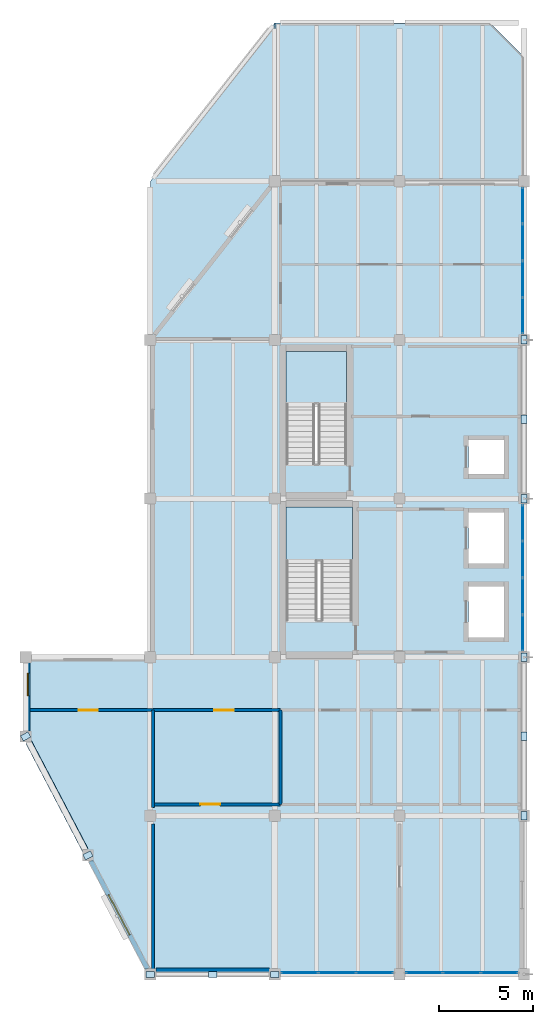
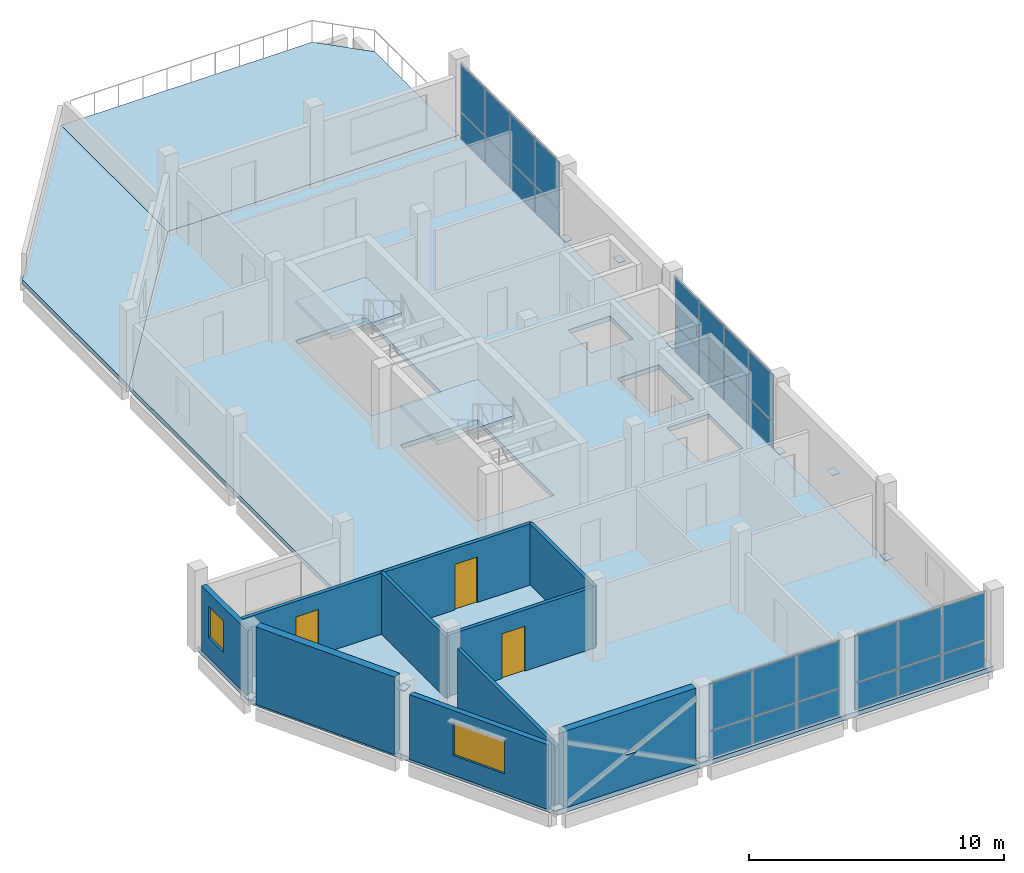
# One storey, part 5 of 10: 39 plates, 9 walls, 5 slabs, 3 doors, 2 windows, 5 openings, 6 elements without a shape of their own.
"""IFC4 building model written with IfcOpenShell, lengths in metres."""

from ifc_helpers import new_model, si_unit, direction, frame, frame_2d, origin, origin_2d, place, context, subcontext, project, spatial, polyline, rectangle, outline, extrude, material, layer, layer_set, type_object, element, fill, aggregate, save


model = new_model("IFC4")

# Units and contexts
model_context = context("Model", 3, precision=1e-05, world=origin(), true_north=direction((0.0, 1.0)))
body_context = subcontext(model_context, "Body", "Model", "MODEL_VIEW")
ifc_project = project(units=[si_unit("LENGTHUNIT", "METRE"), si_unit("AREAUNIT", "SQUARE_METRE"), si_unit("VOLUMEUNIT", "CUBIC_METRE"), si_unit("PLANEANGLEUNIT", "RADIAN"), si_unit("MASSUNIT", "GRAM", prefix="KILO")], contexts=[model_context])

# Site, building, storey
site_placement = place(None, origin())
site = spatial("IfcSite", under=ifc_project, at=site_placement, CompositionType="ELEMENT")
building_placement = place(site_placement, origin())
building = spatial("IfcBuilding", under=site, at=building_placement, Name="Qaldarim Faculty of Natural and Applied Sciences", CompositionType="ELEMENT")
storey_placement = place(building_placement, frame((0.0, 0.0, 39.300048828125)))
storey = spatial("IfcBuildingStorey", under=building, at=storey_placement, Name="L09", CompositionType="ELEMENT", Elevation=39.300048828125)

# Slab
ifc_material_1 = material(Name="Concrete C40/50", Category="concrete")
ifc_layer_1 = layer(ifc_material_1, 0.239990234375)
ifc_layer_set_1 = layer_set([ifc_layer_1], Name="Concrete C40/50")
slab_type_1 = type_object("IfcSlabType", Name="FlatStructuralRoofSlab-240", PredefinedType="ROOF", material=ifc_layer_set_1)
slab_1_placement = place(storey_placement, frame((0.0, 0.0, -0.219970703125)))
element("IfcSlab", 1, at=slab_1_placement, inside=storey, type_object=slab_type_1, Name="Research wing upper NW setback roof slab L09", PredefinedType="ROOF", context=body_context, shape_type="SweptSolid", body=[
    extrude(outline(polyline([(158.39990234375, 33.60009765625), (165.0, 42.0), (165.0, 50.39990234375), (158.39990234375, 42.0), (158.39990234375, 33.60009765625)])), origin(), (0.0, 0.0, 1.0), 0.219970703125),
])

# Plates
ifc_material_2 = material(Name="Structural steel S355", Category="steel")
ifc_layer_2 = layer(ifc_material_2, 0.02001953125)
ifc_layer_set_2 = layer_set([ifc_layer_2], Name="Structural steel S355")
plate_type_1 = type_object("IfcPlateType", Name="GussetPlate-S355-450x320x20", PredefinedType="SHEET", material=ifc_layer_set_2)
for number, where, z_axis, x_axis, name in (
    (2, (161.699951171875, 0.0, 1.679931640625), (0.0, 0.0, 1.0), (1.0, 0.0, 0.0), "South diagrid L09 X-crossing gusset plate"),
    (3, (158.39990234375, 0.0, 0.139892578125), (0.0, 0.0, 1.0), (1.0, 0.0, 0.0), "South diagrid L09 base gusset BL"),
    (4, (165.0, 0.0, 0.139892578125), (0.0, 0.0, 1.0), (1.0, 0.0, 0.0), "South diagrid L09 base gusset BR"),
    (5, (178.199951171875, 12.60009765625, 1.679931640625), (0.0, 0.0, 1.0), (0.0, 1.0, 0.0), "East diagrid L09 X-crossing gusset plate"),
    (6, (178.199951171875, 8.39990234375, 0.139892578125), (0.0, 0.0, 1.0), (0.0, 1.0, 0.0), "East diagrid L09 base gusset BL"),
    (7, (178.199951171875, 16.800048828125, 0.139892578125), (0.0, 0.0, 1.0), (0.0, 1.0, 0.0), "East diagrid L09 base gusset BR"),
    (8, (178.199951171875, 29.39990234375, 1.679931640625), (0.0, 0.0, 1.0), (0.0, 1.0, 0.0), "Upper east diagrid L09 X-crossing gusset plate"),
    (9, (178.199951171875, 25.199951171875, 0.139892578125), (0.0, 0.0, 1.0), (0.0, 1.0, 0.0), "Upper east diagrid L09 base gusset BL"),
    (10, (178.199951171875, 33.60009765625, 0.139892578125), (0.0, 0.0, 1.0), (0.0, 1.0, 0.0), "Upper east diagrid L09 base gusset BR"),
    (11, (151.800048828125, 12.60009765625, 0.14990234375), (0.0, 0.0, 1.0), (0.882947592859, 0.469471562786, 0.0), "Oblique SW brace base plate L09 1"),
    (12, (155.10009765625, 6.300048828125, 3.25), (0.0, 0.0, 1.0), (0.882947592859, 0.469471562786, 0.0), "Oblique SW brace head plate L09 1"),
):
    element("IfcPlate", number, at=place(storey_placement, frame(where, z_axis=z_axis, x_axis=x_axis)), inside=storey, type_object=plate_type_1, Name=name, PredefinedType="SHEET", context=body_context, shape_type="SweptSolid", body=[
        extrude(rectangle(XDim=0.449951171875, YDim=0.320068359375, at=origin_2d()), origin(), (0.0, 0.0, 1.0), 0.02001953125),
    ])

# Curtain wall, plates
ifc_material_3 = material(Name="Anodised aluminium AW-6063", Category="aluminium")
curtain_wall_type = type_object("IfcCurtainWallType", Name="CurtainWallSystem-M1950", PredefinedType="USERDEFINED", material=ifc_material_3)
curtain_wall_1_placement = place(storey_placement, origin())
curtain_wall_1 = element("IfcCurtainWall", 13, at=curtain_wall_1_placement, inside=storey, type_object=curtain_wall_type, Name="Curtain wall CW-L09-S-X26Y01", ObjectType="UNITISED FACADE", PredefinedType="USERDEFINED")
ifc_material_4 = material(Name="White architectural precast concrete C40/50", Category="concrete")
ifc_layer_3 = layer(ifc_material_4, 0.050048828125)
ifc_layer_set_3 = layer_set([ifc_layer_3], Name="White architectural precast concrete C40/50")
plate_type_2 = type_object("IfcPlateType", Name="LimestoneSpandrelPanel-50", PredefinedType="CURTAIN_PANEL", material=ifc_layer_set_3)
plate_1_placement = place(storey_placement, frame((166.311767578125, 0.080078125, 0.06005859375), z_axis=(0.0, 0.0, 1.0), x_axis=(1.0, 0.0, 0.0)))
plate_1 = element("IfcPlate", 14, at=plate_1_placement, type_object=plate_type_2, Name="Glazed panel 1-1 of CW-L09-S-X26Y01", PredefinedType="CURTAIN_PANEL", context=body_context, shape_type="SweptSolid", body=[
    extrude(rectangle(XDim=1.913330078125, YDim=0.050048828125, at=origin_2d()), origin(), (0.0, 0.0, 1.0), 1.260009765625),
])
plate_2_placement = place(storey_placement, frame((166.311767578125, 0.080078125, 1.3798828125), z_axis=(0.0, 0.0, 1.0), x_axis=(1.0, 0.0, 0.0)))
plate_2 = element("IfcPlate", 15, at=plate_2_placement, type_object=plate_type_2, Name="Glazed panel 1-2 of CW-L09-S-X26Y01", PredefinedType="CURTAIN_PANEL", context=body_context, shape_type="SweptSolid", body=[
    extrude(rectangle(XDim=1.913330078125, YDim=0.050048828125, at=origin_2d()), origin(), (0.0, 0.0, 1.0), 2.239990234375),
])
plate_3_placement = place(storey_placement, frame((168.300048828125, 0.080078125, 0.06005859375), z_axis=(0.0, 0.0, 1.0), x_axis=(1.0, 0.0, 0.0)))
plate_3 = element("IfcPlate", 16, at=plate_3_placement, type_object=plate_type_2, Name="Glazed panel 2-1 of CW-L09-S-X26Y01", PredefinedType="CURTAIN_PANEL", context=body_context, shape_type="SweptSolid", body=[
    extrude(rectangle(XDim=1.943359375, YDim=0.050048828125, at=origin_2d()), origin(), (0.0, 0.0, 1.0), 1.260009765625),
])
plate_4_placement = place(storey_placement, frame((168.300048828125, 0.080078125, 1.3798828125), z_axis=(0.0, 0.0, 1.0), x_axis=(1.0, 0.0, 0.0)))
plate_4 = element("IfcPlate", 17, at=plate_4_placement, type_object=plate_type_2, Name="Glazed panel 2-2 of CW-L09-S-X26Y01", PredefinedType="CURTAIN_PANEL", context=body_context, shape_type="SweptSolid", body=[
    extrude(rectangle(XDim=1.943359375, YDim=0.050048828125, at=origin_2d()), origin(), (0.0, 0.0, 1.0), 2.239990234375),
])
plate_5_placement = place(storey_placement, frame((170.288330078125, 0.080078125, 0.06005859375), z_axis=(0.0, 0.0, 1.0), x_axis=(1.0, 0.0, 0.0)))
plate_5 = element("IfcPlate", 18, at=plate_5_placement, type_object=plate_type_2, Name="Glazed panel 3-1 of CW-L09-S-X26Y01", PredefinedType="CURTAIN_PANEL", context=body_context, shape_type="SweptSolid", body=[
    extrude(rectangle(XDim=1.913330078125, YDim=0.050048828125, at=origin_2d()), origin(), (0.0, 0.0, 1.0), 1.260009765625),
])
plate_6_placement = place(storey_placement, frame((170.288330078125, 0.080078125, 1.3798828125), z_axis=(0.0, 0.0, 1.0), x_axis=(1.0, 0.0, 0.0)))
plate_6 = element("IfcPlate", 19, at=plate_6_placement, type_object=plate_type_2, Name="Glazed panel 3-2 of CW-L09-S-X26Y01", PredefinedType="CURTAIN_PANEL", context=body_context, shape_type="SweptSolid", body=[
    extrude(rectangle(XDim=1.913330078125, YDim=0.050048828125, at=origin_2d()), origin(), (0.0, 0.0, 1.0), 2.239990234375),
])
aggregate(curtain_wall_1, [plate_1, plate_2, plate_3, plate_4, plate_5, plate_6])

curtain_wall_2_placement = place(storey_placement, origin())
curtain_wall_2 = element("IfcCurtainWall", 20, at=curtain_wall_2_placement, inside=storey, type_object=curtain_wall_type, Name="Curtain wall CW-L09-S-X27Y01", ObjectType="UNITISED FACADE", PredefinedType="USERDEFINED")
plate_7_placement = place(storey_placement, frame((172.91162109375, 0.080078125, 0.06005859375), z_axis=(0.0, 0.0, 1.0), x_axis=(1.0, 0.0, 0.0)))
plate_7 = element("IfcPlate", 21, at=plate_7_placement, type_object=plate_type_2, Name="Glazed panel 1-1 of CW-L09-S-X27Y01", PredefinedType="CURTAIN_PANEL", context=body_context, shape_type="SweptSolid", body=[
    extrude(rectangle(XDim=1.913330078125, YDim=0.050048828125, at=origin_2d()), origin(), (0.0, 0.0, 1.0), 1.260009765625),
])
plate_8_placement = place(storey_placement, frame((172.91162109375, 0.080078125, 1.3798828125), z_axis=(0.0, 0.0, 1.0), x_axis=(1.0, 0.0, 0.0)))
plate_8 = element("IfcPlate", 22, at=plate_8_placement, type_object=plate_type_2, Name="Glazed panel 1-2 of CW-L09-S-X27Y01", PredefinedType="CURTAIN_PANEL", context=body_context, shape_type="SweptSolid", body=[
    extrude(rectangle(XDim=1.913330078125, YDim=0.050048828125, at=origin_2d()), origin(), (0.0, 0.0, 1.0), 2.239990234375),
])
plate_9_placement = place(storey_placement, frame((174.89990234375, 0.080078125, 0.06005859375), z_axis=(0.0, 0.0, 1.0), x_axis=(1.0, 0.0, 0.0)))
plate_9 = element("IfcPlate", 23, at=plate_9_placement, type_object=plate_type_2, Name="Glazed panel 2-1 of CW-L09-S-X27Y01", PredefinedType="CURTAIN_PANEL", context=body_context, shape_type="SweptSolid", body=[
    extrude(rectangle(XDim=1.943359375, YDim=0.050048828125, at=origin_2d()), origin(), (0.0, 0.0, 1.0), 1.260009765625),
])
plate_10_placement = place(storey_placement, frame((174.89990234375, 0.080078125, 1.3798828125), z_axis=(0.0, 0.0, 1.0), x_axis=(1.0, 0.0, 0.0)))
plate_10 = element("IfcPlate", 24, at=plate_10_placement, type_object=plate_type_2, Name="Glazed panel 2-2 of CW-L09-S-X27Y01", PredefinedType="CURTAIN_PANEL", context=body_context, shape_type="SweptSolid", body=[
    extrude(rectangle(XDim=1.943359375, YDim=0.050048828125, at=origin_2d()), origin(), (0.0, 0.0, 1.0), 2.239990234375),
])
plate_11_placement = place(storey_placement, frame((176.88818359375, 0.080078125, 0.06005859375), z_axis=(0.0, 0.0, 1.0), x_axis=(1.0, 0.0, 0.0)))
plate_11 = element("IfcPlate", 25, at=plate_11_placement, type_object=plate_type_2, Name="Glazed panel 3-1 of CW-L09-S-X27Y01", PredefinedType="CURTAIN_PANEL", context=body_context, shape_type="SweptSolid", body=[
    extrude(rectangle(XDim=1.913330078125, YDim=0.050048828125, at=origin_2d()), origin(), (0.0, 0.0, 1.0), 1.260009765625),
])
plate_12_placement = place(storey_placement, frame((176.88818359375, 0.080078125, 1.3798828125), z_axis=(0.0, 0.0, 1.0), x_axis=(1.0, 0.0, 0.0)))
plate_12 = element("IfcPlate", 26, at=plate_12_placement, type_object=plate_type_2, Name="Glazed panel 3-2 of CW-L09-S-X27Y01", PredefinedType="CURTAIN_PANEL", context=body_context, shape_type="SweptSolid", body=[
    extrude(rectangle(XDim=1.913330078125, YDim=0.050048828125, at=origin_2d()), origin(), (0.0, 0.0, 1.0), 2.239990234375),
])
aggregate(curtain_wall_2, [plate_7, plate_8, plate_9, plate_10, plate_11, plate_12])

curtain_wall_3_placement = place(storey_placement, origin())
curtain_wall_3 = element("IfcCurtainWall", 27, at=curtain_wall_3_placement, inside=storey, type_object=curtain_wall_type, Name="Curtain wall CW-L09-E-X27Y03", ObjectType="UNITISED FACADE", PredefinedType="USERDEFINED")
plate_13_placement = place(storey_placement, frame((178.1201171875, 18.086181640625, 0.06005859375), z_axis=(0.0, 0.0, 1.0), x_axis=(0.0, 1.0, 0.0)))
plate_13 = element("IfcPlate", 28, at=plate_13_placement, type_object=plate_type_2, Name="Glazed panel 1-1 of CW-L09-E-X27Y03", PredefinedType="CURTAIN_PANEL", context=body_context, shape_type="SweptSolid", body=[
    extrude(rectangle(XDim=1.862548828125, YDim=0.050048828125, at=origin_2d()), origin(), (0.0, 0.0, 1.0), 1.260009765625),
])
plate_14_placement = place(storey_placement, frame((178.1201171875, 18.086181640625, 1.3798828125), z_axis=(0.0, 0.0, 1.0), x_axis=(0.0, 1.0, 0.0)))
plate_14 = element("IfcPlate", 29, at=plate_14_placement, type_object=plate_type_2, Name="Glazed panel 1-2 of CW-L09-E-X27Y03", PredefinedType="CURTAIN_PANEL", context=body_context, shape_type="SweptSolid", body=[
    extrude(rectangle(XDim=1.862548828125, YDim=0.050048828125, at=origin_2d()), origin(), (0.0, 0.0, 1.0), 2.239990234375),
])
plate_15_placement = place(storey_placement, frame((178.1201171875, 20.023681640625, 0.06005859375), z_axis=(0.0, 0.0, 1.0), x_axis=(0.0, 1.0, 0.0)))
plate_15 = element("IfcPlate", 30, at=plate_15_placement, type_object=plate_type_2, Name="Glazed panel 2-1 of CW-L09-E-X27Y03", PredefinedType="CURTAIN_PANEL", context=body_context, shape_type="SweptSolid", body=[
    extrude(rectangle(XDim=1.892578125, YDim=0.050048828125, at=origin_2d()), origin(), (0.0, 0.0, 1.0), 1.260009765625),
])
plate_16_placement = place(storey_placement, frame((178.1201171875, 20.023681640625, 1.3798828125), z_axis=(0.0, 0.0, 1.0), x_axis=(0.0, 1.0, 0.0)))
plate_16 = element("IfcPlate", 31, at=plate_16_placement, type_object=plate_type_2, Name="Glazed panel 2-2 of CW-L09-E-X27Y03", PredefinedType="CURTAIN_PANEL", context=body_context, shape_type="SweptSolid", body=[
    extrude(rectangle(XDim=1.892578125, YDim=0.050048828125, at=origin_2d()), origin(), (0.0, 0.0, 1.0), 2.239990234375),
])
plate_17_placement = place(storey_placement, frame((178.1201171875, 21.976318359375, 0.06005859375), z_axis=(0.0, 0.0, 1.0), x_axis=(0.0, 1.0, 0.0)))
plate_17 = element("IfcPlate", 32, at=plate_17_placement, type_object=plate_type_2, Name="Glazed panel 3-1 of CW-L09-E-X27Y03", PredefinedType="CURTAIN_PANEL", context=body_context, shape_type="SweptSolid", body=[
    extrude(rectangle(XDim=1.892578125, YDim=0.050048828125, at=origin_2d()), origin(), (0.0, 0.0, 1.0), 1.260009765625),
])
plate_18_placement = place(storey_placement, frame((178.1201171875, 21.976318359375, 1.3798828125), z_axis=(0.0, 0.0, 1.0), x_axis=(0.0, 1.0, 0.0)))
plate_18 = element("IfcPlate", 33, at=plate_18_placement, type_object=plate_type_2, Name="Glazed panel 3-2 of CW-L09-E-X27Y03", PredefinedType="CURTAIN_PANEL", context=body_context, shape_type="SweptSolid", body=[
    extrude(rectangle(XDim=1.892578125, YDim=0.050048828125, at=origin_2d()), origin(), (0.0, 0.0, 1.0), 2.239990234375),
])
plate_19_placement = place(storey_placement, frame((178.1201171875, 23.913818359375, 0.06005859375), z_axis=(0.0, 0.0, 1.0), x_axis=(0.0, 1.0, 0.0)))
plate_19 = element("IfcPlate", 34, at=plate_19_placement, type_object=plate_type_2, Name="Glazed panel 4-1 of CW-L09-E-X27Y03", PredefinedType="CURTAIN_PANEL", context=body_context, shape_type="SweptSolid", body=[
    extrude(rectangle(XDim=1.862548828125, YDim=0.050048828125, at=origin_2d()), origin(), (0.0, 0.0, 1.0), 1.260009765625),
])
plate_20_placement = place(storey_placement, frame((178.1201171875, 23.913818359375, 1.3798828125), z_axis=(0.0, 0.0, 1.0), x_axis=(0.0, 1.0, 0.0)))
plate_20 = element("IfcPlate", 35, at=plate_20_placement, type_object=plate_type_2, Name="Glazed panel 4-2 of CW-L09-E-X27Y03", PredefinedType="CURTAIN_PANEL", context=body_context, shape_type="SweptSolid", body=[
    extrude(rectangle(XDim=1.862548828125, YDim=0.050048828125, at=origin_2d()), origin(), (0.0, 0.0, 1.0), 2.239990234375),
])
aggregate(curtain_wall_3, [plate_13, plate_14, plate_15, plate_16, plate_17, plate_18, plate_19, plate_20])

curtain_wall_4_placement = place(storey_placement, origin())
curtain_wall_4 = element("IfcCurtainWall", 36, at=curtain_wall_4_placement, inside=storey, type_object=curtain_wall_type, Name="Curtain wall CW-L09-E-X27Y05", ObjectType="UNITISED FACADE", PredefinedType="USERDEFINED")
plate_21_placement = place(storey_placement, frame((178.1201171875, 34.88623046875, 0.06005859375), z_axis=(0.0, 0.0, 1.0), x_axis=(0.0, 1.0, 0.0)))
plate_21 = element("IfcPlate", 37, at=plate_21_placement, type_object=plate_type_2, Name="Glazed panel 1-1 of CW-L09-E-X27Y05", PredefinedType="CURTAIN_PANEL", context=body_context, shape_type="SweptSolid", body=[
    extrude(rectangle(XDim=1.862548828125, YDim=0.050048828125, at=origin_2d()), origin(), (0.0, 0.0, 1.0), 1.260009765625),
])
plate_22_placement = place(storey_placement, frame((178.1201171875, 34.88623046875, 1.3798828125), z_axis=(0.0, 0.0, 1.0), x_axis=(0.0, 1.0, 0.0)))
plate_22 = element("IfcPlate", 38, at=plate_22_placement, type_object=plate_type_2, Name="Glazed panel 1-2 of CW-L09-E-X27Y05", PredefinedType="CURTAIN_PANEL", context=body_context, shape_type="SweptSolid", body=[
    extrude(rectangle(XDim=1.862548828125, YDim=0.050048828125, at=origin_2d()), origin(), (0.0, 0.0, 1.0), 2.239990234375),
])
plate_23_placement = place(storey_placement, frame((178.1201171875, 36.82373046875, 0.06005859375), z_axis=(0.0, 0.0, 1.0), x_axis=(0.0, 1.0, 0.0)))
plate_23 = element("IfcPlate", 39, at=plate_23_placement, type_object=plate_type_2, Name="Glazed panel 2-1 of CW-L09-E-X27Y05", PredefinedType="CURTAIN_PANEL", context=body_context, shape_type="SweptSolid", body=[
    extrude(rectangle(XDim=1.892578125, YDim=0.050048828125, at=origin_2d()), origin(), (0.0, 0.0, 1.0), 1.260009765625),
])
plate_24_placement = place(storey_placement, frame((178.1201171875, 36.82373046875, 1.3798828125), z_axis=(0.0, 0.0, 1.0), x_axis=(0.0, 1.0, 0.0)))
plate_24 = element("IfcPlate", 40, at=plate_24_placement, type_object=plate_type_2, Name="Glazed panel 2-2 of CW-L09-E-X27Y05", PredefinedType="CURTAIN_PANEL", context=body_context, shape_type="SweptSolid", body=[
    extrude(rectangle(XDim=1.892578125, YDim=0.050048828125, at=origin_2d()), origin(), (0.0, 0.0, 1.0), 2.239990234375),
])
plate_25_placement = place(storey_placement, frame((178.1201171875, 38.776123046875, 0.06005859375), z_axis=(0.0, 0.0, 1.0), x_axis=(0.0, 1.0, 0.0)))
plate_25 = element("IfcPlate", 41, at=plate_25_placement, type_object=plate_type_2, Name="Glazed panel 3-1 of CW-L09-E-X27Y05", PredefinedType="CURTAIN_PANEL", context=body_context, shape_type="SweptSolid", body=[
    extrude(rectangle(XDim=1.892578125, YDim=0.050048828125, at=origin_2d()), origin(), (0.0, 0.0, 1.0), 1.260009765625),
])
plate_26_placement = place(storey_placement, frame((178.1201171875, 38.776123046875, 1.3798828125), z_axis=(0.0, 0.0, 1.0), x_axis=(0.0, 1.0, 0.0)))
plate_26 = element("IfcPlate", 42, at=plate_26_placement, type_object=plate_type_2, Name="Glazed panel 3-2 of CW-L09-E-X27Y05", PredefinedType="CURTAIN_PANEL", context=body_context, shape_type="SweptSolid", body=[
    extrude(rectangle(XDim=1.892578125, YDim=0.050048828125, at=origin_2d()), origin(), (0.0, 0.0, 1.0), 2.239990234375),
])
plate_27_placement = place(storey_placement, frame((178.1201171875, 40.713623046875, 0.06005859375), z_axis=(0.0, 0.0, 1.0), x_axis=(0.0, 1.0, 0.0)))
plate_27 = element("IfcPlate", 43, at=plate_27_placement, type_object=plate_type_2, Name="Glazed panel 4-1 of CW-L09-E-X27Y05", PredefinedType="CURTAIN_PANEL", context=body_context, shape_type="SweptSolid", body=[
    extrude(rectangle(XDim=1.862548828125, YDim=0.050048828125, at=origin_2d()), origin(), (0.0, 0.0, 1.0), 1.260009765625),
])
plate_28_placement = place(storey_placement, frame((178.1201171875, 40.713623046875, 1.3798828125), z_axis=(0.0, 0.0, 1.0), x_axis=(0.0, 1.0, 0.0)))
plate_28 = element("IfcPlate", 44, at=plate_28_placement, type_object=plate_type_2, Name="Glazed panel 4-2 of CW-L09-E-X27Y05", PredefinedType="CURTAIN_PANEL", context=body_context, shape_type="SweptSolid", body=[
    extrude(rectangle(XDim=1.862548828125, YDim=0.050048828125, at=origin_2d()), origin(), (0.0, 0.0, 1.0), 2.239990234375),
])
aggregate(curtain_wall_4, [plate_21, plate_22, plate_23, plate_24, plate_25, plate_26, plate_27, plate_28])

# Slab
ifc_layer_4 = layer(ifc_material_1, 0.219970703125)
ifc_layer_set_4 = layer_set([ifc_layer_4], Name="Concrete C40/50")
slab_type_2 = type_object("IfcSlabType", Name="ResearchWingSlab-220", PredefinedType="FLOOR", material=ifc_layer_set_4)
slab_2_placement = place(storey_placement, frame((0.0, 0.0, -0.219970703125)))
element("IfcSlab", 45, at=slab_2_placement, inside=storey, type_object=slab_type_2, Name="Floor slab L09 V5", PredefinedType="FLOOR", context=body_context, shape_type="SweptSolid", body=[
    extrude(outline(polyline([(158.39990234375, 0.0), (178.199951171875, 0.0), (178.199951171875, 42.0), (165.0, 42.0), (158.39990234375, 33.60009765625), (158.39990234375, 16.800048828125), (151.800048828125, 16.800048828125), (151.800048828125, 12.60009765625), (158.39990234375, 0.0)]), holes=[polyline([(169.10009765625, 18.764892578125), (169.10009765625, 24.77490234375), (165.60009765625, 24.77490234375), (165.60009765625, 18.764892578125), (169.10009765625, 18.764892578125)]), polyline([(168.800048828125, 27.06494140625), (168.800048828125, 33.02490234375), (165.60009765625, 33.02490234375), (165.60009765625, 27.06494140625), (168.800048828125, 27.06494140625)]), polyline([(175.25, 17.85009765625), (177.14990234375, 17.85009765625), (177.14990234375, 20.550048828125), (175.25, 20.550048828125), (175.25, 17.85009765625)]), polyline([(175.25, 21.75), (177.14990234375, 21.75), (177.14990234375, 24.449951171875), (175.25, 24.449951171875), (175.25, 21.75)]), polyline([(175.25, 26.5), (177.14990234375, 26.5), (177.14990234375, 28.300048828125), (175.25, 28.300048828125), (175.25, 26.5)])]), origin(), (0.0, 0.0, 1.0), 0.219970703125),
])

# Stair, slab
stair_type_1 = type_object("IfcStairType", Name="DoglegStair-W1650-H3900-24R", PredefinedType="HALF_TURN_STAIR", material=ifc_material_1)
stair_1_placement = place(storey_placement, origin())
stair_1 = element("IfcStair", 46, at=stair_1_placement, inside=storey, type_object=stair_type_1, Name="Enclosed exit stair ST-A1 L09", PredefinedType="HALF_TURN_STAIR")
ifc_layer_5 = layer(ifc_material_1, 0.2099609375)
ifc_layer_set_5 = layer_set([ifc_layer_5], Name="Concrete C40/50")
slab_type_3 = type_object("IfcSlabType", Name="StairLandingSlab-210", PredefinedType="LANDING", material=ifc_layer_set_5)
slab_3_placement = place(storey_placement, frame((0.0, 0.0, 1.739990234375)))
slab_3 = element("IfcSlab", 47, at=slab_3_placement, type_object=slab_type_3, Name="ST-A1 L09 half-landing 1", PredefinedType="LANDING", context=body_context, shape_type="SweptSolid", body=[
    extrude(outline(polyline([(169.10009765625, 21.8701171875), (169.10009765625, 24.75), (165.60009765625, 24.75), (165.60009765625, 21.8701171875), (169.10009765625, 21.8701171875)])), origin(), (0.0, 0.0, 1.0), 0.2099609375),
])
aggregate(stair_1, [slab_3])

stair_type_2 = type_object("IfcStairType", Name="DoglegStair-W1500-H3900-24R", PredefinedType="HALF_TURN_STAIR", material=ifc_material_1)
stair_2_placement = place(storey_placement, origin())
stair_2 = element("IfcStair", 48, at=stair_2_placement, inside=storey, type_object=stair_type_2, Name="Enclosed exit stair ST-A2 L09", PredefinedType="HALF_TURN_STAIR")
slab_4_placement = place(storey_placement, frame((0.0, 0.0, 1.739990234375)))
slab_4 = element("IfcSlab", 49, at=slab_4_placement, type_object=slab_type_3, Name="ST-A2 L09 half-landing 1", PredefinedType="LANDING", context=body_context, shape_type="SweptSolid", body=[
    extrude(outline(polyline([(168.800048828125, 30.169921875), (168.800048828125, 33.0), (165.60009765625, 33.0), (165.60009765625, 30.169921875), (168.800048828125, 30.169921875)])), origin(), (0.0, 0.0, 1.0), 0.2099609375),
])
aggregate(stair_2, [slab_4])

# Slab
ifc_layer_6 = layer(ifc_material_1, 0.179931640625)
ifc_layer_set_6 = layer_set([ifc_layer_6], Name="Concrete C40/50")
slab_type_4 = type_object("IfcSlabType", Name="TerraceBalconySlab-180", PredefinedType="FLOOR", material=ifc_layer_set_6)
slab_5_placement = place(storey_placement, frame((0.0, 0.0, -0.179931640625)))
element("IfcSlab", 50, at=slab_5_placement, inside=storey, type_object=slab_type_4, Name="Academic outdoor terrace L09 V5-SHOULDER2-TERRACE", PredefinedType="FLOOR", context=body_context, shape_type="SweptSolid", body=[
    extrude(outline(polyline([(165.0, 42.0), (178.199951171875, 42.0), (178.199951171875, 48.60009765625), (176.39990234375, 50.39990234375), (165.0, 50.39990234375), (165.0, 42.0)])), origin(), (0.0, 0.0, 1.0), 0.179931640625),
])

# Wall, opening, window
ifc_material_5 = material(Name="Precast concrete C40/50", Category="concrete")
ifc_layer_7 = layer(ifc_material_5, 0.239990234375)
ifc_layer_set_7 = layer_set([ifc_layer_7], Name="Precast concrete C40/50")
wall_type_1 = type_object("IfcWallType", Name="ExteriorInsulatedWall-240", PredefinedType="SOLIDWALL", material=ifc_layer_set_7)
wall_1_placement = place(storey_placement, frame((151.919921875, 16.5048828125, 0.0), z_axis=(0.0, 0.0, 1.0), x_axis=(0.0, -1.0, 0.0)))
wall_1 = element("IfcWall", 51, at=wall_1_placement, inside=storey, type_object=wall_type_1, Name="Oblique SW chamfer return facade wall L09", PredefinedType="SOLIDWALL", context=body_context, shape_type="SweptSolid", body=[
    extrude(rectangle(XDim=3.60986328125, YDim=0.239990234375, at=frame_2d((1.804931640625, 0.0))), origin(), (0.0, 0.0, 1.0), 3.10498046875),
])
opening_1_placement = place(wall_1_placement, frame((0.550048828125, 0.0, 0.949951171875)))
opening_1 = element("IfcOpeningElement", 52, at=opening_1_placement, cuts=wall_1, Name="Opening WN01", PredefinedType="OPENING", context=body_context, shape_type="SweptSolid", body=[
    extrude(rectangle(XDim=1.199951171875, YDim=1.5, at=frame_2d((0.60009765625, 0.75))), frame((0.0, 0.1298828125, 0.0), z_axis=(0.0, -1.0, 0.0), x_axis=(1.0, 0.0, 0.0)), (0.0, 0.0, 1.0), 0.260009765625),
])
ifc_material_6 = material(Name="Insulated low-e double glazing", Category="glass")
window_type_1 = type_object("IfcWindowType", Name="Window-1200x1500", PartitioningType="SINGLE_PANEL", PredefinedType="WINDOW", material=ifc_material_6)
window_1_placement = place(opening_1_placement, origin())
window_1 = element("IfcWindow", 53, at=window_1_placement, inside=storey, type_object=window_type_1, Name="Oblique SW return window L09", OverallHeight=1.5, OverallWidth=1.199951171875, PartitioningType="SINGLE_PANEL", PredefinedType="WINDOW", context=body_context, shape_type="SweptSolid", body=[
    extrude(rectangle(XDim=1.199951171875, YDim=1.5, at=frame_2d((0.60009765625, 0.75))), frame((0.0, 0.030029296875, 0.0), z_axis=(0.0, -1.0, 0.0), x_axis=(1.0, 0.0, 0.0)), (0.0, 0.0, 1.0), 0.06005859375),
])
fill(opening_1, window_1)

wall_2_placement = place(storey_placement, frame((155.25, 6.010009765625, 0.0), z_axis=(0.0, 0.0, 1.0), x_axis=(0.464471613901, -0.885588007981, 0.0)))
wall_2 = element("IfcWall", 54, at=wall_2_placement, inside=storey, type_object=wall_type_1, Name="Oblique SW chamfer fenestrated wall L09 2", PredefinedType="SOLIDWALL", context=body_context, shape_type="SweptSolid", body=[
    extrude(rectangle(XDim=6.458984375, YDim=0.239990234375, at=frame_2d((3.2294921875, 0.0))), origin(), (0.0, 0.0, 1.0), 3.10498046875),
])
opening_2_placement = place(wall_2_placement, frame((2.030029296875, 0.0, 0.949951171875)))
opening_2 = element("IfcOpeningElement", 55, at=opening_2_placement, cuts=wall_2, Name="Opening WN03", PredefinedType="OPENING", context=body_context, shape_type="SweptSolid", body=[
    extrude(rectangle(XDim=2.39990234375, YDim=1.60009765625, at=frame_2d((1.199951171875, 0.800048828125))), frame((0.0, 0.1298828125, 0.0), z_axis=(0.0, -1.0, 0.0), x_axis=(1.0, 0.0, 0.0)), (0.0, 0.0, 1.0), 0.260009765625),
])
window_type_2 = type_object("IfcWindowType", Name="Window-2400x1600", PartitioningType="TRIPLE_PANEL_VERTICAL", PredefinedType="WINDOW", material=ifc_material_6)
window_2_placement = place(opening_2_placement, origin())
window_2 = element("IfcWindow", 56, at=window_2_placement, inside=storey, type_object=window_type_2, Name="Oblique SW chamfer window L09 2", OverallHeight=1.60009765625, OverallWidth=2.39990234375, PartitioningType="SINGLE_PANEL", PredefinedType="WINDOW", context=body_context, shape_type="SweptSolid", body=[
    extrude(rectangle(XDim=2.39990234375, YDim=1.60009765625, at=frame_2d((1.199951171875, 0.800048828125))), frame((0.0, 0.030029296875, 0.0), z_axis=(0.0, -1.0, 0.0), x_axis=(1.0, 0.0, 0.0)), (0.0, 0.0, 1.0), 0.06005859375),
])
fill(opening_2, window_2)

# Walls
ifc_material_7 = material(Name="Concrete C50/60", Category="concrete")
ifc_layer_8 = layer(ifc_material_7, 0.340087890625)
ifc_layer_set_8 = layer_set([ifc_layer_8], Name="Concrete C50/60")
wall_type_2 = type_object("IfcWallType", Name="ExteriorStairShearWall-340", PredefinedType="SHEAR", material=ifc_layer_set_8)
wall_3_placement = place(storey_placement, frame((158.695068359375, 0.169921875, 0.0), z_axis=(0.0, 0.0, 1.0), x_axis=(1.0, 0.0, 0.0)))
element("IfcWall", 57, at=wall_3_placement, inside=storey, type_object=wall_type_2, Name="Exterior wall EW05 L09 S X25Y01", PredefinedType="SHEAR", context=body_context, shape_type="SweptSolid", body=[
    extrude(rectangle(XDim=6.010009765625, YDim=0.340087890625, at=frame_2d((3.0048828125, 0.0))), origin(), (0.0, 0.0, 1.0), 3.679931640625),
])
wall_4_placement = place(storey_placement, frame((151.949951171875, 12.31005859375, 0.0), z_axis=(0.0, 0.0, 1.0), x_axis=(0.464471613901, -0.885588007981, 0.0)))
element("IfcWall", 58, at=wall_4_placement, inside=storey, type_object=wall_type_2, Name="Oblique SW chamfer braced wall L09 1", PredefinedType="SHEAR", context=body_context, shape_type="SweptSolid", body=[
    extrude(rectangle(XDim=6.458984375, YDim=0.340087890625, at=frame_2d((3.2294921875, 0.0))), origin(), (0.0, 0.0, 1.0), 3.719970703125),
])
ifc_layer_9 = layer(ifc_material_1, 0.159912109375)
ifc_layer_set_9 = layer_set([ifc_layer_9], Name="Concrete C40/50")
wall_type_3 = type_object("IfcWallType", Name="FireCorridorWall-160", PredefinedType="PARTITIONING", material=ifc_layer_set_9)
wall_5_placement = place(storey_placement, frame((165.300048828125, 9.0, 0.0), z_axis=(0.0, 0.0, 1.0), x_axis=(0.0, 1.0, 0.0)))
element("IfcWall", 59, at=wall_5_placement, inside=storey, type_object=wall_type_3, Name="Interior partition PRT-L09-V5-WCW", PredefinedType="PARTITIONING", context=body_context, shape_type="SweptSolid", body=[
    extrude(rectangle(XDim=5.0, YDim=0.159912109375, at=frame_2d((2.5, 0.0))), origin(), (0.0, 0.0, 1.0), 2.929931640625),
])

# Wall, opening, door
wall_6_placement = place(storey_placement, frame((158.550048828125, 9.0, 0.0), z_axis=(0.0, 0.0, 1.0), x_axis=(1.0, 0.0, 0.0)))
wall_6 = element("IfcWall", 60, at=wall_6_placement, inside=storey, type_object=wall_type_3, Name="Interior partition PRT-L09-U-SW", PredefinedType="PARTITIONING", context=body_context, shape_type="SweptSolid", body=[
    extrude(rectangle(XDim=6.75, YDim=0.159912109375, at=frame_2d((3.375, 0.0))), origin(), (0.0, 0.0, 1.0), 2.929931640625),
])
opening_3_placement = place(wall_6_placement, frame((2.5, 0.0, 0.0)))
opening_3 = element("IfcOpeningElement", 61, at=opening_3_placement, cuts=wall_6, Name="Opening ID02", PredefinedType="OPENING", context=body_context, shape_type="SweptSolid", body=[
    extrude(rectangle(XDim=1.050048828125, YDim=2.14990234375, at=frame_2d((0.52490234375, 1.074951171875))), frame((0.0, 0.08984375, 0.0), z_axis=(0.0, -1.0, 0.0), x_axis=(1.0, 0.0, 0.0)), (0.0, 0.0, 1.0), 0.179931640625),
])
ifc_material_8 = material(Name="Oak hardwood", Category="wood")
door_type_1 = type_object("IfcDoorType", Name="AccessibleRoomDoor-1050x2150", OperationType="NOTDEFINED", PredefinedType="DOOR", material=ifc_material_8)
door_1_placement = place(opening_3_placement, origin())
door_1 = element("IfcDoor", 62, at=door_1_placement, inside=storey, type_object=door_type_1, Name="Interior door D-L09-281", OperationType="SINGLE_SWING_LEFT", OverallHeight=2.14990234375, OverallWidth=1.050048828125, PredefinedType="DOOR", context=body_context, shape_type="SweptSolid", body=[
    extrude(rectangle(XDim=1.050048828125, YDim=2.14990234375, at=frame_2d((0.52490234375, 1.074951171875))), frame((0.0, 0.02490234375, 0.0), z_axis=(0.0, -1.0, 0.0), x_axis=(1.0, 0.0, 0.0)), (0.0, 0.0, 1.0), 0.050048828125),
])
fill(opening_3, door_1)

# Walls
wall_7_placement = place(storey_placement, frame((158.550048828125, 0.25, 0.0), z_axis=(0.0, 0.0, 1.0), x_axis=(0.0, 1.0, 0.0)))
element("IfcWall", 63, at=wall_7_placement, inside=storey, type_object=wall_type_3, Name="Interior partition PRT-L09-V5-SWSE-S1", PredefinedType="PARTITIONING", context=body_context, shape_type="SweptSolid", body=[
    extrude(rectangle(XDim=7.699951171875, YDim=0.159912109375, at=frame_2d((3.85009765625, 0.0))), origin(), (0.0, 0.0, 1.0), 2.929931640625),
])
wall_8_placement = place(storey_placement, frame((158.550048828125, 8.85009765625, 0.0), z_axis=(0.0, 0.0, 1.0), x_axis=(0.0, 1.0, 0.0)))
element("IfcWall", 64, at=wall_8_placement, inside=storey, type_object=wall_type_3, Name="Interior partition PRT-L09-V5-SWSE-S2", PredefinedType="PARTITIONING", context=body_context, shape_type="SweptSolid", body=[
    extrude(rectangle(XDim=5.14990234375, YDim=0.159912109375, at=frame_2d((2.574951171875, 0.0))), origin(), (0.0, 0.0, 1.0), 2.929931640625),
])

# Wall, openings, doors
wall_9_placement = place(storey_placement, frame((152.0, 14.0, 0.0), z_axis=(0.0, 0.0, 1.0), x_axis=(1.0, 0.0, 0.0)))
wall_9 = element("IfcWall", 65, at=wall_9_placement, inside=storey, type_object=wall_type_3, Name="Interior partition PRT-L09-V5-MIDN", PredefinedType="PARTITIONING", context=body_context, shape_type="SweptSolid", body=[
    extrude(rectangle(XDim=13.300048828125, YDim=0.159912109375, at=frame_2d((6.64990234375, 0.0))), origin(), (0.0, 0.0, 1.0), 2.929931640625),
])
opening_4_placement = place(wall_9_placement, frame((2.60009765625, 0.0, 0.0)))
opening_4 = element("IfcOpeningElement", 66, at=opening_4_placement, cuts=wall_9, Name="Opening ID16", PredefinedType="OPENING", context=body_context, shape_type="SweptSolid", body=[
    extrude(rectangle(XDim=1.02001953125, YDim=2.179931640625, at=frame_2d((0.510009765625, 1.08984375))), frame((0.0, 0.08984375, 0.0), z_axis=(0.0, -1.0, 0.0), x_axis=(1.0, 0.0, 0.0)), (0.0, 0.0, 1.0), 0.179931640625),
])
opening_5_placement = place(wall_9_placement, frame((9.800048828125, 0.0, 0.0)))
opening_5 = element("IfcOpeningElement", 67, at=opening_5_placement, cuts=wall_9, Name="Opening ID16", PredefinedType="OPENING", context=body_context, shape_type="SweptSolid", body=[
    extrude(rectangle(XDim=1.02001953125, YDim=2.179931640625, at=frame_2d((0.510009765625, 1.08984375))), frame((0.0, 0.08984375, 0.0), z_axis=(0.0, -1.0, 0.0), x_axis=(1.0, 0.0, 0.0)), (0.0, 0.0, 1.0), 0.179931640625),
])
door_type_2 = type_object("IfcDoorType", Name="StudyPodDoor-1020x2180", OperationType="NOTDEFINED", PredefinedType="DOOR", material=ifc_material_8)
door_2_placement = place(opening_4_placement, origin())
door_2 = element("IfcDoor", 68, at=door_2_placement, inside=storey, type_object=door_type_2, Name="Interior door D-L09-423", OperationType="SINGLE_SWING_LEFT", OverallHeight=2.179931640625, OverallWidth=1.02001953125, PredefinedType="DOOR", context=body_context, shape_type="SweptSolid", body=[
    extrude(rectangle(XDim=1.02001953125, YDim=2.179931640625, at=frame_2d((0.510009765625, 1.08984375))), frame((0.0, 0.02490234375, 0.0), z_axis=(0.0, -1.0, 0.0), x_axis=(1.0, 0.0, 0.0)), (0.0, 0.0, 1.0), 0.050048828125),
])
fill(opening_4, door_2)
door_3_placement = place(opening_5_placement, origin())
door_3 = element("IfcDoor", 69, at=door_3_placement, inside=storey, type_object=door_type_2, Name="Interior door D-L09-424", OperationType="SINGLE_SWING_RIGHT", OverallHeight=2.179931640625, OverallWidth=1.02001953125, PredefinedType="DOOR", context=body_context, shape_type="SweptSolid", body=[
    extrude(rectangle(XDim=1.02001953125, YDim=2.179931640625, at=frame_2d((0.510009765625, 1.08984375))), frame((0.0, 0.02490234375, 0.0), z_axis=(0.0, -1.0, 0.0), x_axis=(1.0, 0.0, 0.0)), (0.0, 0.0, 1.0), 0.050048828125),
])
fill(opening_5, door_3)

save(model, "model.ifc")
